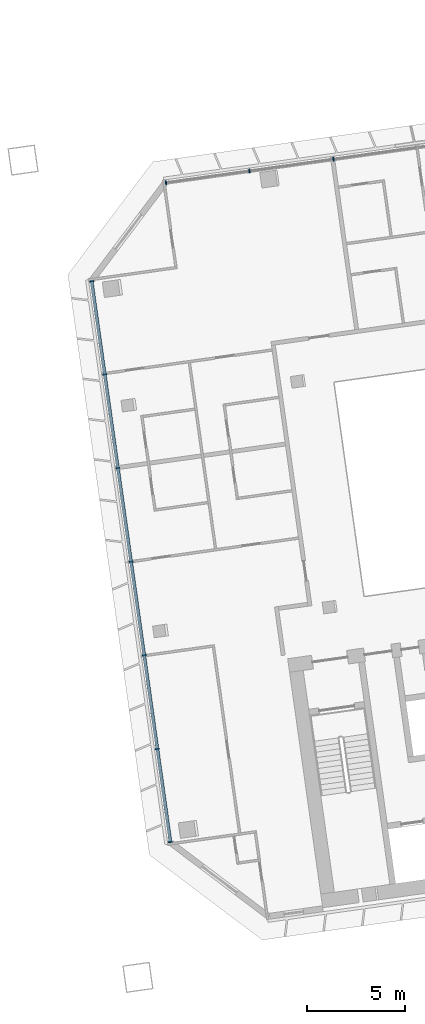
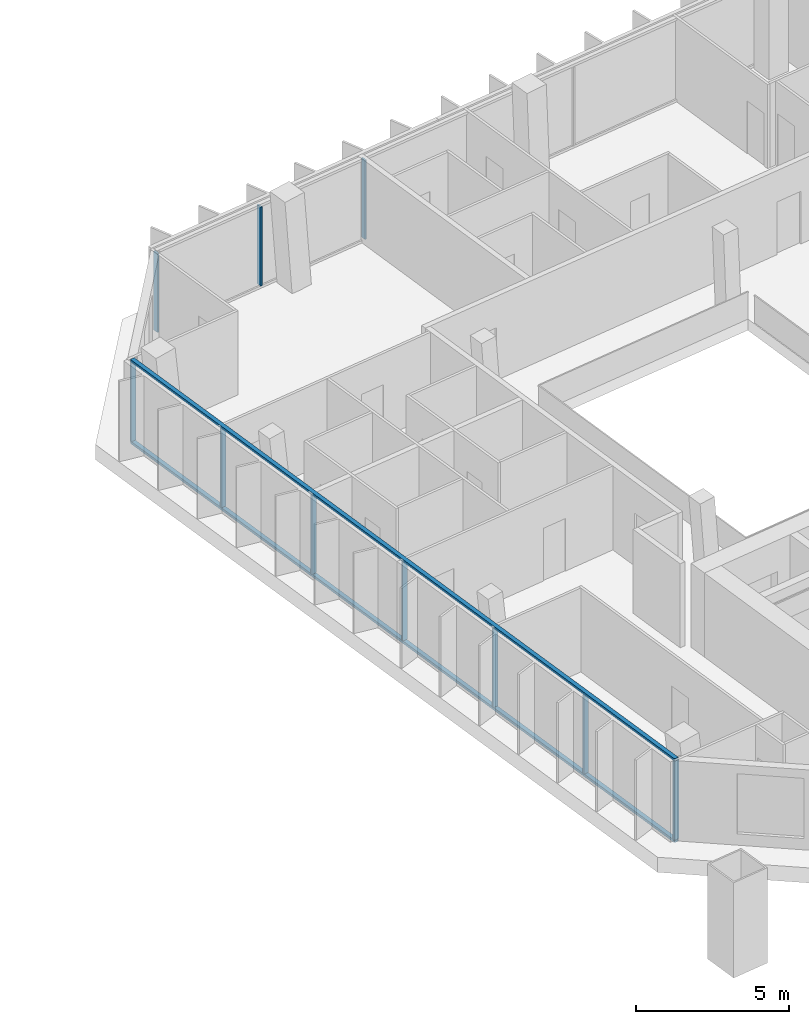
# One storey, part 7 of 23: 12 members, 2 elements without a shape of their own.
"""IFC4 building model written with IfcOpenShell, lengths in metres."""

from ifc_helpers import new_model, si_unit, direction, frame, origin, origin_2d, place, context, subcontext, project, spatial, rectangle, extrude, material, material_profile, profile_set, type_object, element, aggregate, save


model = new_model("IFC4")

# Units and contexts
model_context = context("Model", 3, precision=1e-05, world=origin(), true_north=direction((0.0, 1.0)))
body_context = subcontext(model_context, "Body", "Model", "MODEL_VIEW")
ifc_project = project(units=[si_unit("LENGTHUNIT", "METRE"), si_unit("AREAUNIT", "SQUARE_METRE"), si_unit("VOLUMEUNIT", "CUBIC_METRE"), si_unit("PLANEANGLEUNIT", "RADIAN"), si_unit("MASSUNIT", "GRAM", prefix="KILO")], contexts=[model_context])

# Site, building, storey
site_placement = place(None, origin())
site = spatial("IfcSite", under=ifc_project, at=site_placement, CompositionType="ELEMENT")
building_placement = place(site_placement, origin())
building = spatial("IfcBuilding", under=site, at=building_placement, Name="Mirante Cascada Hotel Towers", CompositionType="ELEMENT")
storey_placement = place(building_placement, frame((0.0, 0.0, 199.2)))
storey = spatial("IfcBuildingStorey", under=building, at=storey_placement, Name="L47", CompositionType="ELEMENT", Elevation=199.2)

# Curtain wall, members
ifc_material_1 = material(Name="Aluminium mullion and transom frame with clear laminated glass", Category="aluminium")
curtain_wall_type_1 = type_object("IfcCurtainWallType", Name="Ribbon curtain wall ECW1", PredefinedType="NOTDEFINED", material=ifc_material_1)
curtain_wall_1_placement = place(storey_placement, origin())
curtain_wall_1 = element("IfcCurtainWall", 1, at=curtain_wall_1_placement, inside=storey, type_object=curtain_wall_type_1, Name="Front ribbon wall T2 L47", PredefinedType="NOTDEFINED")
ifc_material_2 = material(Name="Anodised aluminium extrusion", Category="aluminium")
ifc_material_profile_1 = material_profile(ifc_material_2, rectangle(XDim=0.2, YDim=0.065, at=origin_2d()), Name="ECW1 MULLION 65x200")
ifc_profile_set_1 = profile_set([ifc_material_profile_1], Name="Anodised aluminium extrusion")
member_type_1 = type_object("IfcMemberType", Name="ECW1 mullion 65x200", PredefinedType="MULLION", material=ifc_profile_set_1)
member_1_placement = place(storey_placement, frame((37.8211, 18.1344, 0.1), z_axis=(0.0, 0.0, 1.0), x_axis=(0.1391731, -0.9902681, 0.0)))
member_1 = element("IfcMember", 2, at=member_1_placement, type_object=member_type_1, Name="ECW1 mullion 10", PredefinedType="MULLION", context=body_context, shape_type="SweptSolid", body=[
    extrude(rectangle(XDim=0.2, YDim=0.065, at=origin_2d()), origin(), (0.0, 0.0, 1.0), 3.15),
])
member_2_placement = place(storey_placement, frame((33.5419, 17.533, 0.1), z_axis=(0.0, 0.0, 1.0), x_axis=(0.1391731, -0.9902681, 0.0)))
member_2 = element("IfcMember", 3, at=member_2_placement, type_object=member_type_1, Name="ECW1 mullion 11", PredefinedType="MULLION", context=body_context, shape_type="SweptSolid", body=[
    extrude(rectangle(XDim=0.2, YDim=0.065, at=origin_2d()), origin(), (0.0, 0.0, 1.0), 3.15),
])
member_3_placement = place(storey_placement, frame((29.295, 16.9362, 0.1), z_axis=(0.0, 0.0, 1.0), x_axis=(0.1391731, -0.9902681, 0.0)))
member_3 = element("IfcMember", 4, at=member_3_placement, type_object=member_type_1, Name="ECW1 mullion 12", PredefinedType="MULLION", context=body_context, shape_type="SweptSolid", body=[
    extrude(rectangle(XDim=0.2, YDim=0.065, at=origin_2d()), origin(), (0.0, 0.0, 1.0), 3.15),
])
aggregate(curtain_wall_1, [member_1, member_2, member_3])

ifc_material_3 = material(Name="Aluminium mullion and transom frame with clear laminated glass", Category="aluminium")
curtain_wall_type_2 = type_object("IfcCurtainWallType", Name="End ribbon curtain wall ECW2", PredefinedType="NOTDEFINED", material=ifc_material_3)
curtain_wall_2_placement = place(storey_placement, origin())
curtain_wall_2 = element("IfcCurtainWall", 5, at=curtain_wall_2_placement, inside=storey, type_object=curtain_wall_type_2, Name="Inner end wall T2 L47", PredefinedType="NOTDEFINED")
ifc_material_4 = material(Name="Anodised aluminium extrusion", Category="aluminium")
ifc_material_profile_2 = material_profile(ifc_material_4, rectangle(XDim=0.2, YDim=0.065, at=origin_2d()), Name="ECW2 MULLION 65x200")
ifc_profile_set_2 = profile_set([ifc_material_profile_2], Name="Anodised aluminium extrusion")
member_type_2 = type_object("IfcMemberType", Name="ECW2 mullion 65x200", PredefinedType="MULLION", material=ifc_profile_set_2)
member_4_placement = place(storey_placement, frame((25.5122, 11.9162, 0.1), z_axis=(0.0, 0.0, 1.0), x_axis=(0.9902681, 0.1391731, 0.0)))
member_4 = element("IfcMember", 6, at=member_4_placement, type_object=member_type_2, Name="ECW2 mullion 1", PredefinedType="MULLION", context=body_context, shape_type="SweptSolid", body=[
    extrude(rectangle(XDim=0.2, YDim=0.065, at=origin_2d()), origin(), (0.0, 0.0, 1.0), 3.15),
])
member_5_placement = place(storey_placement, frame((26.1774, 7.1826, 0.1), z_axis=(0.0, 0.0, 1.0), x_axis=(0.9902681, 0.1391731, 0.0)))
member_5 = element("IfcMember", 7, at=member_5_placement, type_object=member_type_2, Name="ECW2 mullion 2", PredefinedType="MULLION", context=body_context, shape_type="SweptSolid", body=[
    extrude(rectangle(XDim=0.2, YDim=0.065, at=origin_2d()), origin(), (0.0, 0.0, 1.0), 3.15),
])
member_6_placement = place(storey_placement, frame((26.8472, 2.4168, 0.1), z_axis=(0.0, 0.0, 1.0), x_axis=(0.9902681, 0.1391731, 0.0)))
member_6 = element("IfcMember", 8, at=member_6_placement, type_object=member_type_2, Name="ECW2 mullion 3", PredefinedType="MULLION", context=body_context, shape_type="SweptSolid", body=[
    extrude(rectangle(XDim=0.2, YDim=0.065, at=origin_2d()), origin(), (0.0, 0.0, 1.0), 3.15),
])
member_7_placement = place(storey_placement, frame((27.517, -2.349, 0.1), z_axis=(0.0, 0.0, 1.0), x_axis=(0.9902681, 0.1391731, 0.0)))
member_7 = element("IfcMember", 9, at=member_7_placement, type_object=member_type_2, Name="ECW2 mullion 4", PredefinedType="MULLION", context=body_context, shape_type="SweptSolid", body=[
    extrude(rectangle(XDim=0.2, YDim=0.065, at=origin_2d()), origin(), (0.0, 0.0, 1.0), 3.15),
])
member_8_placement = place(storey_placement, frame((28.1868, -7.1147, 0.1), z_axis=(0.0, 0.0, 1.0), x_axis=(0.9902681, 0.1391731, 0.0)))
member_8 = element("IfcMember", 10, at=member_8_placement, type_object=member_type_2, Name="ECW2 mullion 5", PredefinedType="MULLION", context=body_context, shape_type="SweptSolid", body=[
    extrude(rectangle(XDim=0.2, YDim=0.065, at=origin_2d()), origin(), (0.0, 0.0, 1.0), 3.15),
])
member_9_placement = place(storey_placement, frame((28.8566, -11.8805, 0.1), z_axis=(0.0, 0.0, 1.0), x_axis=(0.9902681, 0.1391731, 0.0)))
member_9 = element("IfcMember", 11, at=member_9_placement, type_object=member_type_2, Name="ECW2 mullion 6", PredefinedType="MULLION", context=body_context, shape_type="SweptSolid", body=[
    extrude(rectangle(XDim=0.2, YDim=0.065, at=origin_2d()), origin(), (0.0, 0.0, 1.0), 3.15),
])
member_10_placement = place(storey_placement, frame((29.5218, -16.6141, 0.1), z_axis=(0.0, 0.0, 1.0), x_axis=(0.9902681, 0.1391731, 0.0)))
member_10 = element("IfcMember", 12, at=member_10_placement, type_object=member_type_2, Name="ECW2 mullion 7", PredefinedType="MULLION", context=body_context, shape_type="SweptSolid", body=[
    extrude(rectangle(XDim=0.2, YDim=0.065, at=origin_2d()), origin(), (0.0, 0.0, 1.0), 3.15),
])
ifc_material_5 = material(Name="Anodised aluminium extrusion", Category="aluminium")
ifc_material_profile_3 = material_profile(ifc_material_5, rectangle(XDim=0.16, YDim=0.1, at=origin_2d()), Name="ECW2 TRANSOM 100x160")
ifc_profile_set_3 = profile_set([ifc_material_profile_3], Name="Anodised aluminium extrusion")
member_type_3 = type_object("IfcMemberType", Name="ECW2 transom 100x160", PredefinedType="USERDEFINED", material=ifc_profile_set_3)
member_11_placement = place(storey_placement, frame((25.5076, 11.9484, 0.05), z_axis=(0.1391757, -0.9902677, 0.0), x_axis=(0.9902677, 0.1391757, 0.0)))
member_11 = element("IfcMember", 13, at=member_11_placement, type_object=member_type_3, Name="ECW2 sill transom", ObjectType="TRANSOM", PredefinedType="USERDEFINED", context=body_context, shape_type="SweptSolid", body=[
    extrude(rectangle(XDim=0.16, YDim=0.1, at=origin_2d()), origin(), (0.0, 0.0, 1.0), 28.8757),
])
member_12_placement = place(storey_placement, frame((25.5076, 11.9484, 3.3), z_axis=(0.1391757, -0.9902677, 0.0), x_axis=(0.9902677, 0.1391757, 0.0)))
member_12 = element("IfcMember", 14, at=member_12_placement, type_object=member_type_3, Name="ECW2 head transom", ObjectType="TRANSOM", PredefinedType="USERDEFINED", context=body_context, shape_type="SweptSolid", body=[
    extrude(rectangle(XDim=0.16, YDim=0.1, at=origin_2d()), origin(), (0.0, 0.0, 1.0), 28.8757),
])
aggregate(curtain_wall_2, [member_11, member_12, member_4, member_5, member_6, member_7, member_8, member_9, member_10])

save(model, "model.ifc")
